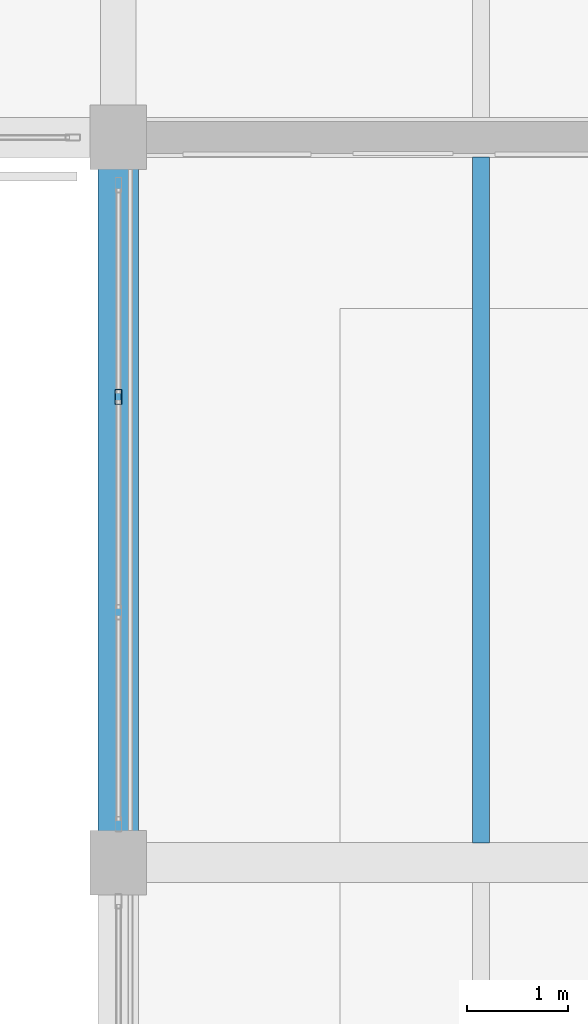
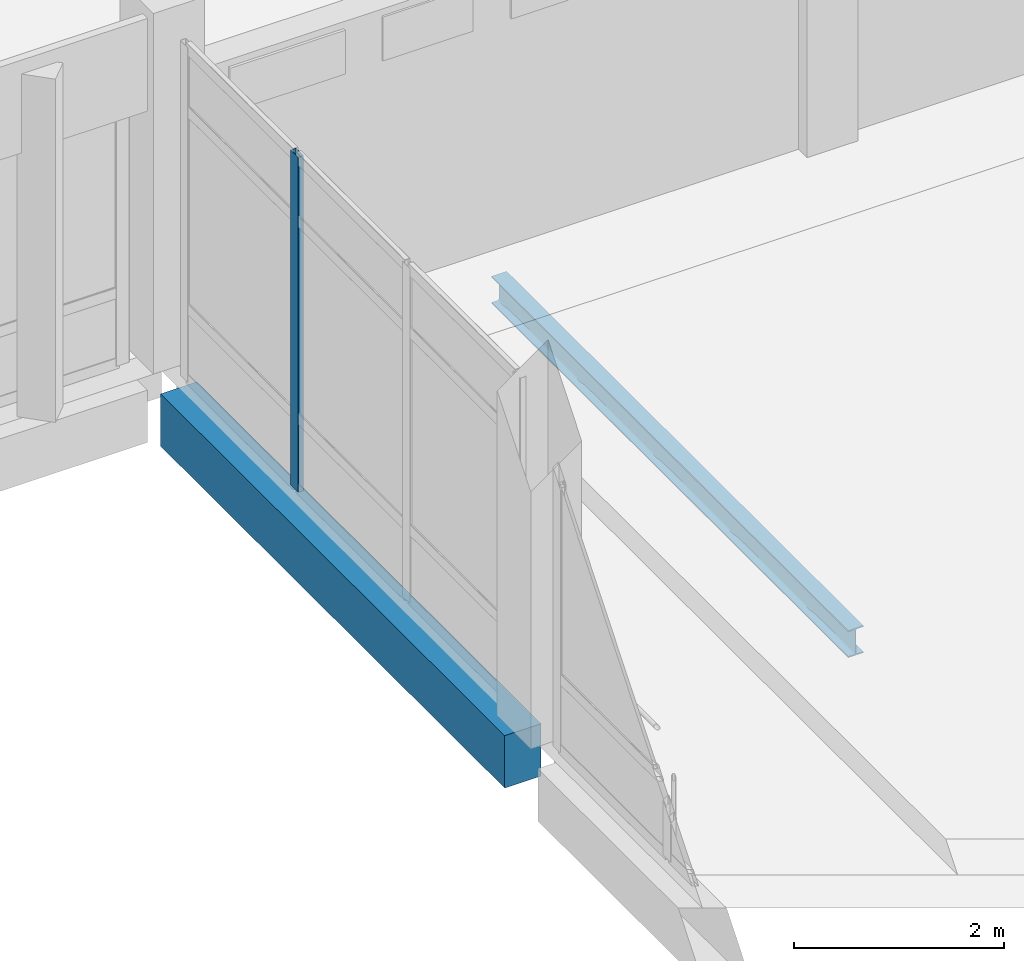
# One storey, part 55 of 158: 2 beams, 1 member, 1 element without a shape of its own.
"""IFC4 building model written with IfcOpenShell, lengths in metres."""

from ifc_helpers import new_model, si_unit, direction, frame, origin, origin_2d, place, context, subcontext, project, spatial, rectangle, hollow_rectangle, i_section, extrude, material, material_profile, profile_set, type_object, element, aggregate, save


model = new_model("IFC4")

# Units and contexts
model_context = context("Model", 3, precision=1e-05, world=origin(), true_north=direction((0.0, 1.0)))
body_context = subcontext(model_context, "Body", "Model", "MODEL_VIEW")
ifc_project = project(units=[si_unit("LENGTHUNIT", "METRE"), si_unit("AREAUNIT", "SQUARE_METRE"), si_unit("VOLUMEUNIT", "CUBIC_METRE"), si_unit("PLANEANGLEUNIT", "RADIAN"), si_unit("MASSUNIT", "GRAM", prefix="KILO")], contexts=[model_context])

# Site, building, storey
site_placement = place(None, origin())
site = spatial("IfcSite", under=ifc_project, at=site_placement, CompositionType="ELEMENT")
building_placement = place(site_placement, origin())
building = spatial("IfcBuilding", under=site, at=building_placement, Name="Lusvemor Sports Hall", CompositionType="ELEMENT")
storey_placement = place(building_placement, frame((0.0, 0.0, 10.800048828125)))
storey = spatial("IfcBuildingStorey", under=building, at=storey_placement, Name="L02", CompositionType="ELEMENT", Elevation=10.800048828125)

# Curtain wall, member
ifc_material_1 = material(Name="Thermally broken bronze-anodized aluminium", Category="aluminium")
curtain_wall_type = type_object("IfcCurtainWallType", Name="CW_WING_B", PredefinedType="NOTDEFINED", material=ifc_material_1)
curtain_wall_placement = place(storey_placement, origin())
curtain_wall = element("IfcCurtainWall", 1, at=curtain_wall_placement, inside=storey, type_object=curtain_wall_type, Name="Curtain Wall CW-V5NE-W-L02-B", PredefinedType="NOTDEFINED")
ifc_material_2 = material(Name="Thermally broken bronze-anodized aluminium", Category="aluminium")
ifc_material_profile_1 = material_profile(ifc_material_2, hollow_rectangle(XDim=0.06494140625, YDim=0.14990234375, WallThickness=0.00390625, InnerFilletRadius=0.00390625, OuterFilletRadius=0.008056640625, at=origin_2d()), Name="CWMUL150x65x4")
ifc_profile_set_1 = profile_set([ifc_material_profile_1], Name="Thermally broken bronze-anodized aluminium")
member_type = type_object("IfcMemberType", Name="CW_MUL_B", PredefinedType="MULLION", material=ifc_profile_set_1)
member_placement = place(storey_placement, frame((118.800048828125, 94.623291015625, -0.050048828125), z_axis=(0.0, 0.0, 1.0), x_axis=(-1.0, 0.0, 0.0)))
member = element("IfcMember", 2, at=member_placement, type_object=member_type, Name="CW02 mullion 3", PredefinedType="MULLION", context=body_context, shape_type="SweptSolid", body=[
    extrude(hollow_rectangle(XDim=0.06494140625, YDim=0.14990234375, WallThickness=0.00390625, InnerFilletRadius=0.00390625, OuterFilletRadius=0.008056640625, at=origin_2d()), origin(), (0.0, 0.0, 1.0), 3.89990234375),
])
aggregate(curtain_wall, [member])

# Beams
ifc_material_3 = material(Name="Steel S355", Category="steel")
ifc_material_profile_2 = material_profile(ifc_material_3, i_section(OverallWidth=0.1669921875, OverallDepth=0.31689453125, WebThickness=0.007568359375, FlangeThickness=0.01318359375, FilletRadius=0.014892578125, at=origin_2d()), Name="W310x52.0")
ifc_profile_set_2 = profile_set([ifc_material_profile_2], Name="Steel S355")
beam_type_1 = type_object("IfcBeamType", Name="JOIST_ST_310M", PredefinedType="JOIST", material=ifc_profile_set_2)
beam_1_placement = place(storey_placement, frame((122.39990234375, 90.196044921875, -0.422607421875), z_axis=(0.0, 1.0, 0.0), x_axis=(-1.0, 0.0, 0.0)))
element("IfcBeam", 3, at=beam_1_placement, inside=storey, type_object=beam_type_1, Name="Secondary Joist L02 13-14/M-N #1", PredefinedType="JOIST", context=body_context, shape_type="SweptSolid", body=[
    extrude(i_section(OverallWidth=0.1669921875, OverallDepth=0.31689453125, WebThickness=0.007568359375, FlangeThickness=0.01318359375, FilletRadius=0.014892578125, at=origin_2d()), origin(), (0.0, 0.0, 1.0), 6.807861328125),
])
ifc_material_4 = material(Name="Concrete C40/50", Category="concrete")
ifc_material_profile_3 = material_profile(ifc_material_4, rectangle(XDim=0.39990234375, YDim=0.610107421875, at=origin_2d()), Name="RC400x610")
ifc_profile_set_3 = profile_set([ifc_material_profile_3], Name="Concrete C40/50")
beam_type_2 = type_object("IfcBeamType", Name="SPAND_EXT_650", PredefinedType="SPANDREL", material=ifc_profile_set_3)
beam_2_placement = place(storey_placement, frame((118.800048828125, 90.31591796875, -0.56494140625), z_axis=(0.0, 1.0, 0.0), x_axis=(-1.0, 0.0, 0.0)))
element("IfcBeam", 4, at=beam_2_placement, inside=storey, type_object=beam_type_2, Name="Beam L02 13:M-N", PredefinedType="SPANDREL", context=body_context, shape_type="SweptSolid", body=[
    extrude(rectangle(XDim=0.39990234375, YDim=0.610107421875, at=origin_2d()), origin(), (0.0, 0.0, 1.0), 6.568115234375),
])

save(model, "model.ifc")
